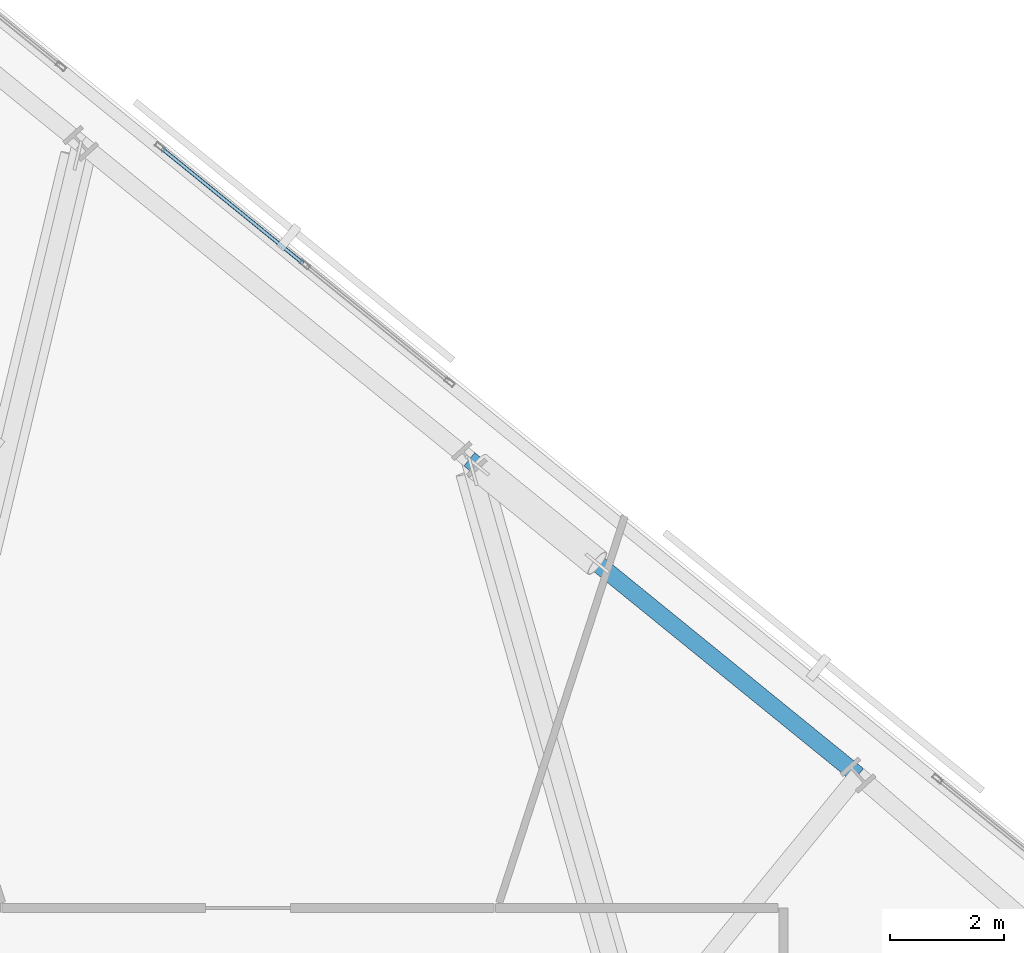
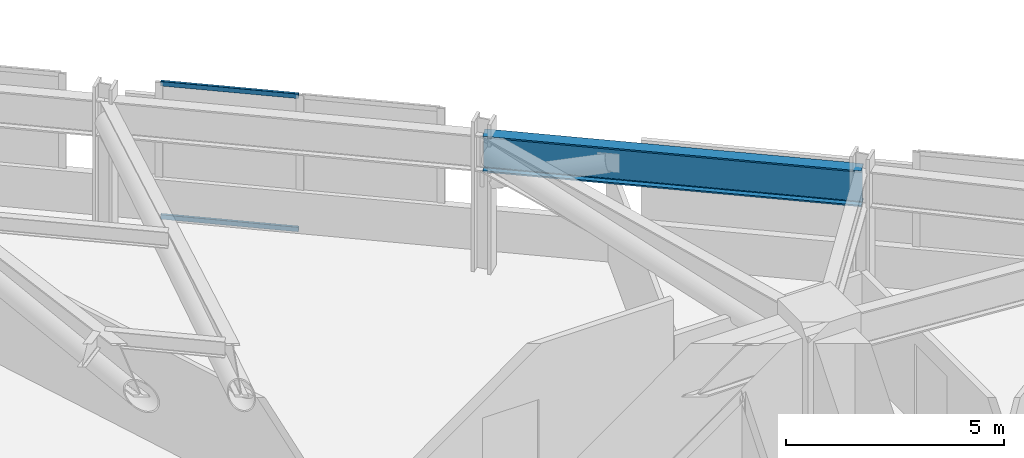
# One storey, part 10 of 18: 2 members, 1 beam, 1 element without a shape of its own.
"""IFC4 building model written with IfcOpenShell, lengths in metres."""

from ifc_helpers import new_model, si_unit, direction, frame, origin, origin_2d, place, context, subcontext, project, spatial, hollow_rectangle, i_section, extrude, material, material_profile, profile_set, type_object, element, aggregate, save


model = new_model("IFC4")

# Units and contexts
model_context = context("Model", 3, precision=1e-05, world=origin(), true_north=direction((0.0, 1.0)))
body_context = subcontext(model_context, "Body", "Model", "MODEL_VIEW")
ifc_project = project(units=[si_unit("LENGTHUNIT", "METRE"), si_unit("AREAUNIT", "SQUARE_METRE"), si_unit("VOLUMEUNIT", "CUBIC_METRE"), si_unit("PLANEANGLEUNIT", "RADIAN"), si_unit("MASSUNIT", "GRAM", prefix="KILO")], contexts=[model_context])

# Site, building, storey
site_placement = place(None, origin())
site = spatial("IfcSite", under=ifc_project, at=site_placement, CompositionType="ELEMENT")
building_placement = place(site_placement, origin())
building = spatial("IfcBuilding", under=site, at=building_placement, Name="Narakoshi Arena Tower", CompositionType="ELEMENT")
storey_placement = place(building_placement, frame((0.0, 0.0, 59.10009765625)))
storey = spatial("IfcBuildingStorey", under=building, at=storey_placement, Name="L15", CompositionType="ELEMENT", Elevation=59.10009765625)

# Beam
ifc_material_1 = material(Name="Structural steel S460ML", Category="steel")
ifc_material_profile_1 = material_profile(ifc_material_1, i_section(OverallWidth=0.302001953125, OverallDepth=1.008056640625, WebThickness=0.02099609375, FlangeThickness=0.0400390625, FilletRadius=0.030029296875, at=origin_2d()), Name="HE1000M")
ifc_profile_set_1 = profile_set([ifc_material_profile_1], Name="Structural steel S460ML")
beam_type = type_object("IfcBeamType", Name="BM-XFER-1000", PredefinedType="BEAM", material=ifc_profile_set_1)
beam_placement = place(storey_placement, frame((89.459716796875, 61.28515625, 3.2958984375), z_axis=(-0.776011365227, 0.630718923958, 0.0), x_axis=(-0.630718923958, -0.776011365227, 0.0)))
element("IfcBeam", 1, at=beam_placement, inside=storey, type_object=beam_type, Name="L15 Perimeter Transfer Ring Girder 09", PredefinedType="BEAM", context=body_context, shape_type="SweptSolid", body=[
    extrude(i_section(OverallWidth=0.302001953125, OverallDepth=1.008056640625, WebThickness=0.02099609375, FlangeThickness=0.0400390625, FilletRadius=0.030029296875, at=origin_2d()), origin(), (0.0, 0.0, 1.0), 8.804931640625),
])

# Curtain wall, members
ifc_material_2 = material(Name="Anodised bronze aluminium 6063-T6", Category="aluminium")
curtain_wall_type = type_object("IfcCurtainWallType", Name="CW-HYP-LOW", PredefinedType="NOTDEFINED", material=ifc_material_2)
curtain_wall_placement = place(storey_placement, origin())
curtain_wall = element("IfcCurtainWall", 2, at=curtain_wall_placement, inside=storey, type_object=curtain_wall_type, Name="L15 Folded Hypotenuse Curtain Wall 2-2", PredefinedType="NOTDEFINED")
ifc_material_profile_2 = material_profile(ifc_material_2, hollow_rectangle(XDim=0.06494140625, YDim=0.1298828125, WallThickness=0.00390625, OuterFilletRadius=0.0048828125, at=origin_2d()), Name="TRN130x65x4")
ifc_profile_set_2 = profile_set([ifc_material_profile_2], Name="Anodised bronze aluminium 6063-T6")
member_type = type_object("IfcMemberType", Name="MEM-TRN-130", PredefinedType="USERDEFINED", material=ifc_profile_set_2)
member_1_placement = place(storey_placement, frame((79.705078125, 70.283203125, 0.032470703125), z_axis=(-0.775976484433, 0.630761837469, 0.0), x_axis=(-0.630761837469, -0.775976484433, 0.0)))
member_1 = element("IfcMember", 3, at=member_1_placement, type_object=member_type, Name="CW-01 transom 2.1", ObjectType="TRANSOM", PredefinedType="USERDEFINED", context=body_context, shape_type="SweptSolid", body=[
    extrude(hollow_rectangle(XDim=0.06494140625, YDim=0.1298828125, WallThickness=0.00390625, OuterFilletRadius=0.0048828125, at=origin_2d()), origin(), (0.0, 0.0, 1.0), 3.204345703125),
])
member_2_placement = place(storey_placement, frame((79.705078125, 70.283203125, 3.767333984375), z_axis=(-0.775976484433, 0.630761837469, 0.0), x_axis=(-0.630761837469, -0.775976484433, 0.0)))
member_2 = element("IfcMember", 4, at=member_2_placement, type_object=member_type, Name="CW-01 transom 2.2", ObjectType="TRANSOM", PredefinedType="USERDEFINED", context=body_context, shape_type="SweptSolid", body=[
    extrude(hollow_rectangle(XDim=0.06494140625, YDim=0.1298828125, WallThickness=0.00390625, OuterFilletRadius=0.0048828125, at=origin_2d()), origin(), (0.0, 0.0, 1.0), 3.204345703125),
])
aggregate(curtain_wall, [member_1, member_2])

save(model, "model.ifc")
